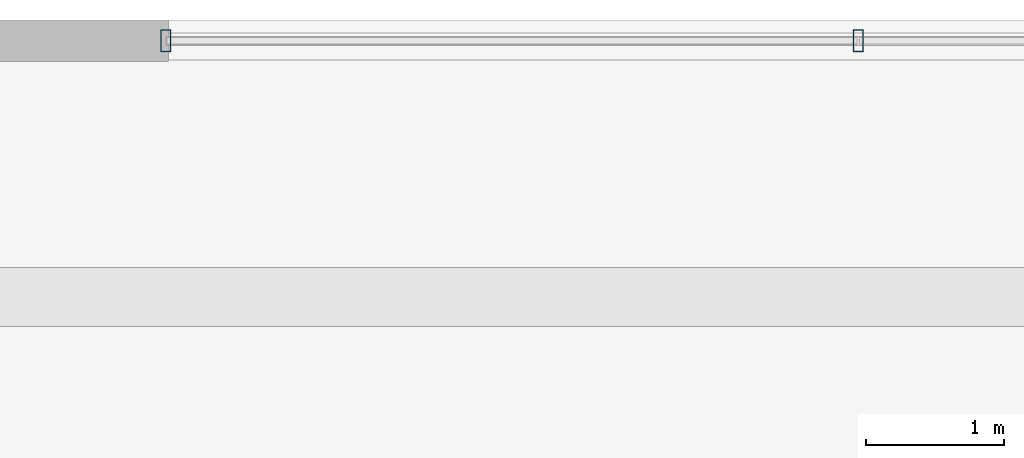
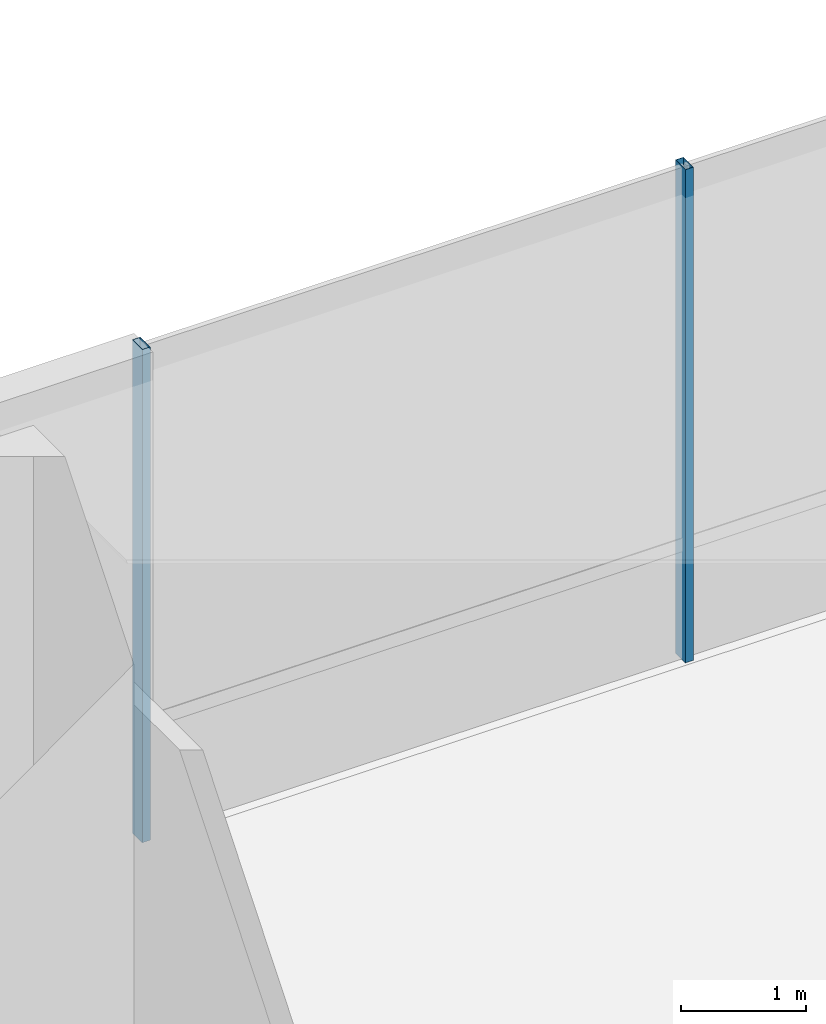
# One storey, part 14 of 39: 2 members, 1 element without a shape of its own.
"""IFC4 building model written with IfcOpenShell, lengths in metres."""

from ifc_helpers import new_model, si_unit, direction, frame, origin, origin_2d, place, context, subcontext, project, spatial, hollow_rectangle, extrude, source, transform, mapped, material, material_profile, profile_set, type_object, element, aggregate, save


model = new_model("IFC4")

# Units and contexts
model_context = context("Model", 3, precision=1e-05, world=origin(), true_north=direction((0.0, 1.0)))
body_context = subcontext(model_context, "Body", "Model", "MODEL_VIEW")
ifc_project = project(units=[si_unit("LENGTHUNIT", "METRE"), si_unit("AREAUNIT", "SQUARE_METRE"), si_unit("VOLUMEUNIT", "CUBIC_METRE"), si_unit("PLANEANGLEUNIT", "RADIAN"), si_unit("MASSUNIT", "GRAM", prefix="KILO")], contexts=[model_context])

# Site, building, storey
site_placement = place(None, origin())
site = spatial("IfcSite", under=ifc_project, at=site_placement, CompositionType="ELEMENT")
building_placement = place(site_placement, origin())
building = spatial("IfcBuilding", under=site, at=building_placement, Name="Valdorenza Pilgrim Sanctuary Tower", CompositionType="ELEMENT")
storey_placement = place(building_placement, frame((0.0, 0.0, 15.60009765625)))
storey = spatial("IfcBuildingStorey", under=building, at=storey_placement, Name="L03", CompositionType="ELEMENT", Elevation=15.60009765625)

# Curtain wall, members
ifc_material_1 = material(Name="Curtain-wall IGU glazing", Category="glass")
curtain_wall_type = type_object("IfcCurtainWallType", Name="CW-SYS-01", PredefinedType="NOTDEFINED", material=ifc_material_1)
curtain_wall_placement = place(storey_placement, origin())
curtain_wall = element("IfcCurtainWall", 1, at=curtain_wall_placement, inside=storey, type_object=curtain_wall_type, Name="L03 Curtain Wall CW-POD-L03-NN", PredefinedType="NOTDEFINED")
ifc_material_2 = material(Name="Anodised aluminium AW-6060", Category="aluminium")
ifc_material_profile = material_profile(ifc_material_2, hollow_rectangle(XDim=0.074951171875, YDim=0.159912109375, WallThickness=0.00390625, at=origin_2d()), Name="ALU-M 160x75x4")
ifc_profile_set = profile_set([ifc_material_profile], Name="Anodised aluminium AW-6060")
member_type = type_object("IfcMemberType", Name="CW-MUL-01", PredefinedType="MULLION", material=ifc_profile_set)
shared_shape = source(origin(), body_context, "Body", "SweptSolid", [
    extrude(hollow_rectangle(XDim=0.074951171875, YDim=0.159912109375, WallThickness=0.00390625, at=origin_2d()), origin(), (0.0, 0.0, 1.0), 4.7998046875),
])
member_1_placement = place(storey_placement, frame((-10.0, 22.85009765625, 0.0), z_axis=(0.0, 0.0, 1.0), x_axis=(1.0, 0.0, 0.0)))
member_1 = element("IfcMember", 2, at=member_1_placement, type_object=member_type, Name="CW-POD-L03-NN Mullion 1", PredefinedType="MULLION", context=body_context, shape_type="MappedRepresentation", body=[
    mapped(shared_shape, transform((0.0, 0.0, 0.0), x_axis=(1.0, 0.0, 0.0), y_axis=(0.0, 1.0, 0.0), z_axis=(0.0, 0.0, 1.0), scale=1.0)),
])
member_2_placement = place(storey_placement, frame((-5.0, 22.85009765625, 0.0), z_axis=(0.0, 0.0, 1.0), x_axis=(1.0, 0.0, 0.0)))
member_2 = element("IfcMember", 3, at=member_2_placement, type_object=member_type, Name="CW-POD-L03-NN Mullion 2", PredefinedType="MULLION", context=body_context, shape_type="MappedRepresentation", body=[
    mapped(shared_shape, transform((0.0, 0.0, 0.0), x_axis=(1.0, 0.0, 0.0), y_axis=(0.0, 1.0, 0.0), z_axis=(0.0, 0.0, 1.0), scale=1.0)),
])
aggregate(curtain_wall, [member_1, member_2])

save(model, "model.ifc")
